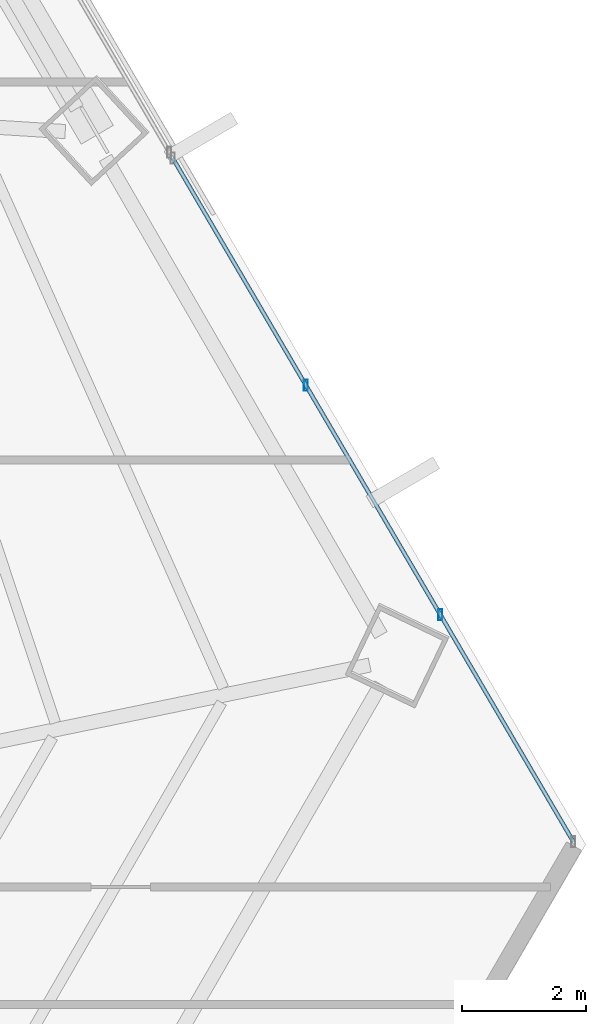
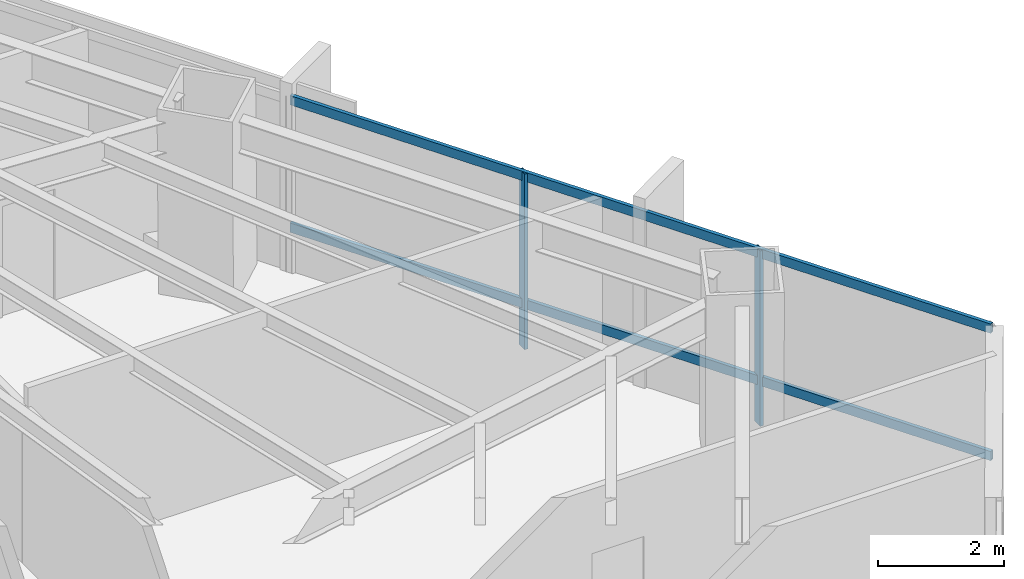
# One storey, part 17 of 29: 4 members, 1 element without a shape of its own.
"""IFC4 building model written with IfcOpenShell, lengths in metres."""

from ifc_helpers import new_model, si_unit, direction, frame, origin, origin_2d, place, context, subcontext, project, spatial, hollow_rectangle, extrude, source, transform, mapped, material, material_profile, profile_set, type_object, type_shapes, element, aggregate, save


model = new_model("IFC4")

# Units and contexts
model_context = context("Model", 3, precision=1e-05, world=origin(), true_north=direction((0.0, 1.0)))
body_context = subcontext(model_context, "Body", "Model", "MODEL_VIEW")
ifc_project = project(units=[si_unit("LENGTHUNIT", "METRE"), si_unit("AREAUNIT", "SQUARE_METRE"), si_unit("VOLUMEUNIT", "CUBIC_METRE"), si_unit("PLANEANGLEUNIT", "RADIAN"), si_unit("MASSUNIT", "GRAM", prefix="KILO")], contexts=[model_context])

# Site, building, storey
site_placement = place(None, origin())
site = spatial("IfcSite", under=ifc_project, at=site_placement, CompositionType="ELEMENT")
building_placement = place(site_placement, origin())
building = spatial("IfcBuilding", under=site, at=building_placement, Name="Caelisora Broadcast Tower", CompositionType="ELEMENT")
storey_placement = place(building_placement, frame((0.0, 0.0, 31.25)))
storey = spatial("IfcBuildingStorey", under=building, at=storey_placement, Name="L07", CompositionType="ELEMENT", Elevation=31.25)

# Curtain wall, members
ifc_material_1 = material(Name="Unitised Aluminium and Low-E Glass Curtain Wall", Category="glass")
curtain_wall_type = type_object("IfcCurtainWallType", Name="CW-Z1", PredefinedType="NOTDEFINED", material=ifc_material_1)
curtain_wall_placement = place(storey_placement, origin())
curtain_wall = element("IfcCurtainWall", 1, at=curtain_wall_placement, inside=storey, type_object=curtain_wall_type, Name="L07 curtain wall CW-Z1", PredefinedType="NOTDEFINED")
ifc_material_2 = material(Name="Aluminium 6063-T6 Anodised Terracotta Bronze", Category="aluminium")
ifc_material_profile_1 = material_profile(ifc_material_2, hollow_rectangle(XDim=0.06494140625, YDim=0.179931640625, WallThickness=0.00341796875, at=origin_2d()), Name="Aluminium 6063-T6 Anodised Terracotta Bronze")
ifc_profile_set_1 = profile_set([ifc_material_profile_1], Name="Aluminium 6063-T6 Anodised Terracotta Bronze")
member_type_1 = type_object("IfcMemberType", Name="CWM-02", PredefinedType="MULLION", material=ifc_profile_set_1)
shared_shape_1 = source(origin(), body_context, "Body", "SweptSolid", [
    extrude(hollow_rectangle(XDim=0.06494140625, YDim=0.179931640625, WallThickness=0.00341796875, at=origin_2d()), origin(), (0.0, 0.0, 1.0), 3.39990234375),
])
type_shapes(member_type_1, [shared_shape_1])
member_1_placement = place(storey_placement, frame((60.424072265625, 25.205810546875, 0.0), z_axis=(0.0, 0.0, 1.0), x_axis=(1.0, 0.0, 0.0)))
member_1 = element("IfcMember", 2, at=member_1_placement, type_object=member_type_1, Name="L07-CW-B03 mullion #1", PredefinedType="MULLION", context=body_context, shape_type="MappedRepresentation", body=[
    mapped(shared_shape_1, transform((0.0, 0.0, 0.0), scale=1.0)),
])
member_2_placement = place(storey_placement, frame((62.597900390625, 21.49658203125, 0.0), z_axis=(0.0, 0.0, 1.0), x_axis=(1.0, 0.0, 0.0)))
member_2 = element("IfcMember", 3, at=member_2_placement, type_object=member_type_1, Name="L07-CW-B03 mullion #2", PredefinedType="MULLION", context=body_context, shape_type="MappedRepresentation", body=[
    mapped(shared_shape_1, transform((0.0, 0.0, 0.0), scale=1.0)),
])
ifc_material_profile_2 = material_profile(ifc_material_2, hollow_rectangle(XDim=0.06494140625, YDim=0.179931640625, WallThickness=0.00341796875, at=origin_2d()), Name="Aluminium 6063-T6 Anodised Terracotta Bronze")
ifc_profile_set_2 = profile_set([ifc_material_profile_2], Name="Aluminium 6063-T6 Anodised Terracotta Bronze")
member_type_2 = type_object("IfcMemberType", Name="CWT-01", PredefinedType="USERDEFINED", material=ifc_profile_set_2)
shared_shape_2 = source(origin(), body_context, "Body", "SweptSolid", [
    extrude(hollow_rectangle(XDim=0.06494140625, YDim=0.179931640625, WallThickness=0.00341796875, at=origin_2d()), origin(), (0.0, 0.0, 1.0), 12.798828125),
])
type_shapes(member_type_2, [shared_shape_2])
member_3_placement = place(storey_placement, frame((58.275390625, 28.872314453125, 0.85009765625), z_axis=(0.505612285364, -0.862760810937, 0.0), x_axis=(0.862760810937, 0.505612285364, 0.0)))
member_3 = element("IfcMember", 4, at=member_3_placement, type_object=member_type_2, Name="L07-CW-B03 transom #1", ObjectType="TRANSOM", PredefinedType="USERDEFINED", context=body_context, shape_type="MappedRepresentation", body=[
    mapped(shared_shape_2, transform((0.0, 0.0, 0.0), scale=1.0)),
])
member_4_placement = place(storey_placement, frame((58.275390625, 28.872314453125, 3.320068359375), z_axis=(0.505612285364, -0.862760810937, 0.0), x_axis=(0.862760810937, 0.505612285364, 0.0)))
member_4 = element("IfcMember", 5, at=member_4_placement, type_object=member_type_2, Name="L07-CW-B03 transom #2", ObjectType="TRANSOM", PredefinedType="USERDEFINED", context=body_context, shape_type="MappedRepresentation", body=[
    mapped(shared_shape_2, transform((0.0, 0.0, 0.0), scale=1.0)),
])
aggregate(curtain_wall, [member_1, member_2, member_3, member_4])

save(model, "model.ifc")
